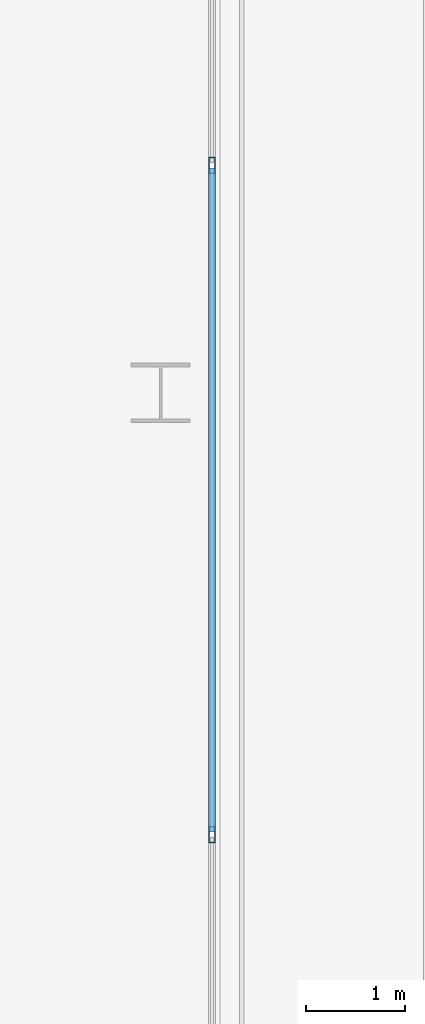
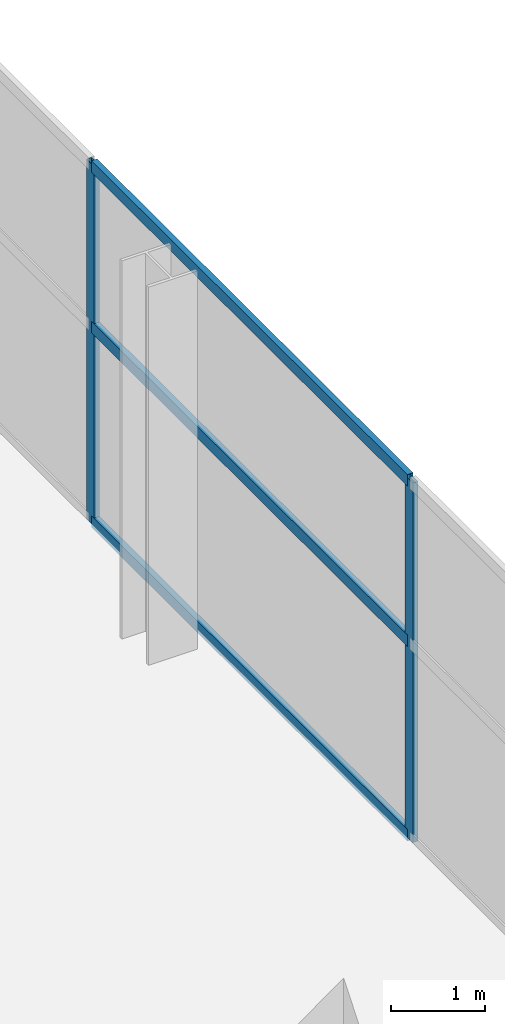
# One storey, part 15 of 31: 5 members, 1 element without a shape of its own.
"""IFC4 building model written with IfcOpenShell, lengths in metres."""

import ifcopenshell
import ifcopenshell.guid

model = None  # the IFC model being written
_history = None  # IfcOwnerHistory: only IFC2X3 demands one
_inside = {}  # id of a spatial element -> (the spatial element, [elements in it])
_under = {}  # id of a project, library or spatial element -> (it, [spatial elements below it])
_declared = {}  # id of a project -> (the project, [libraries it declares])
_typed = {}  # id of a type object -> (the type object, [elements of that type])
_made_of = {}  # id of a material, layer set ... -> (it, [elements and type objects made of it])


def new_model(schema):
    """Start an empty IFC model of exactly this schema.

    Asked for "IFC4X3", IfcOpenShell would pick the latest addendum, in which some entities
    have other attributes; the version numbers below select the first issue.
    IFC2X3 requires an IfcOwnerHistory on every rooted entity: one is made here for all.
    """
    global model, _history
    if schema == "IFC4X3":
        model = ifcopenshell.file(schema_version=(4, 3, 0, 0))
    else:
        model = ifcopenshell.file(schema=schema)
    _inside.clear()
    _under.clear()
    _declared.clear()
    _typed.clear()
    _made_of.clear()
    _history = None
    if model.schema == "IFC2X3":
        org = make("IfcOrganization", Name="unknown")
        user = make(
            "IfcPersonAndOrganization",
            ThePerson=make("IfcPerson", FamilyName="unknown"),
            TheOrganization=org,
        )
        app = make(
            "IfcApplication",
            ApplicationDeveloper=org,
            Version="unknown",
            ApplicationFullName="unknown",
            ApplicationIdentifier="unknown",
        )
        _history = make(
            "IfcOwnerHistory",
            OwningUser=user,
            OwningApplication=app,
            ChangeAction="ADDED",
            CreationDate=0,
        )
    return model


def make(cls, **values):
    """One entity of the class cls with the attributes given. An attribute that is None is left unset."""
    return model.create_entity(
        cls, **{name: value for name, value in values.items() if value is not None}
    )


def rooted(cls, **values):
    """An entity with a GlobalId (a new one), such as an element, a storey or a relation."""
    return make(cls, GlobalId=ifcopenshell.guid.new(), OwnerHistory=_history, **values)


def si_unit(unit_type, name, prefix=None):
    """IfcSIUnit, for example si_unit("LENGTHUNIT", "METRE", prefix="MILLI")."""
    return make("IfcSIUnit", UnitType=unit_type, Prefix=prefix, Name=name)


def assignment(units):
    """IfcUnitAssignment: the units of a project."""
    return None if units is None else make("IfcUnitAssignment", Units=units)


def point(xyz):
    """IfcCartesianPoint."""
    return None if xyz is None else make("IfcCartesianPoint", Coordinates=xyz)


def direction(xyz):
    """IfcDirection."""
    return None if xyz is None else make("IfcDirection", DirectionRatios=xyz)


def frame(location, z_axis=None, x_axis=None):
    """IfcAxis2Placement3D, a coordinate frame: its origin and axes. An axis left out is left unset."""
    return make(
        "IfcAxis2Placement3D",
        Location=point(location),
        Axis=direction(z_axis),
        RefDirection=direction(x_axis),
    )


def frame_2d(location, x_axis=None):
    """IfcAxis2Placement2D, a coordinate frame in the plane: its origin and x axis."""
    return make(
        "IfcAxis2Placement2D", Location=point(location), RefDirection=direction(x_axis)
    )


def origin():
    """The frame at (0, 0, 0) with its axes left unset."""
    return frame((0.0, 0.0, 0.0))


def origin_2d():
    """The frame at (0, 0) in the plane with its x axis left unset."""
    return frame_2d((0.0, 0.0))


def place(relative_to, where):
    """IfcLocalPlacement: puts the frame where relative to a parent placement (None: the world)."""
    return make(
        "IfcLocalPlacement", PlacementRelTo=relative_to, RelativePlacement=where
    )


def context(
    kind, dimensions, precision=None, world=None, true_north=None, identifier=None
):
    """IfcGeometricRepresentationContext, for example the 3D "Model" context."""
    return make(
        "IfcGeometricRepresentationContext",
        ContextIdentifier=identifier,
        ContextType=kind,
        CoordinateSpaceDimension=dimensions,
        Precision=precision,
        WorldCoordinateSystem=world,
        TrueNorth=true_north,
    )


def subcontext(parent, identifier, kind, view, scale=None):
    """IfcGeometricRepresentationSubContext, for example "Body" below "Model"."""
    return make(
        "IfcGeometricRepresentationSubContext",
        ContextIdentifier=identifier,
        ContextType=kind,
        ParentContext=parent,
        TargetScale=scale,
        TargetView=view,
    )


def project(units=None, contexts=None):
    """IfcProject with its units and contexts."""
    return rooted(
        "IfcProject",
        Name="project",
        RepresentationContexts=contexts,
        UnitsInContext=assignment(units),
    )


def spatial(cls, under=None, at=None, **own):
    """A site, building, storey or space (cls), placed at a placement, below another one or the project."""
    s = rooted(cls, ObjectPlacement=at, **own)
    if under is not None:
        _under.setdefault(under.id(), (under, []))[1].append(s)
    return s


def profile(cls, at=None, kind="AREA", **sizes):
    """A parametric profile (cls). Its sizes go by their IFC names, for example OverallWidth=200.0."""
    return make(cls, ProfileType=kind, Position=at, **sizes)


def hollow_rectangle(**sizes):
    """IfcRectangleHollowProfileDef."""
    return profile("IfcRectangleHollowProfileDef", **sizes)


def extrude(swept, where, along, depth):
    """IfcExtrudedAreaSolid: the profile swept, set in the frame where, extruded along a direction by depth."""
    return make(
        "IfcExtrudedAreaSolid",
        SweptArea=swept,
        Position=where,
        ExtrudedDirection=direction(along),
        Depth=depth,
    )


def shape(context_of_items, identifier, shape_type, items):
    """IfcShapeRepresentation: the items that make up one representation, for example the "Body"."""
    return make(
        "IfcShapeRepresentation",
        ContextOfItems=context_of_items,
        RepresentationIdentifier=identifier,
        RepresentationType=shape_type,
        Items=items,
    )


def material(Name=None, Category=None):
    """IfcMaterial."""
    return make("IfcMaterial", Name=Name, Category=Category)


def layer(
    of_material, thickness, ventilated=None, Name=None, Category=None, Priority=None
):
    """IfcMaterialLayer: one layer of a wall or slab, of a material (None: an air gap)."""
    return make(
        "IfcMaterialLayer",
        Material=of_material,
        LayerThickness=thickness,
        IsVentilated=ventilated,
        Name=Name,
        Category=Category,
        Priority=Priority,
    )


def layer_set(layers, Name=None):
    """IfcMaterialLayerSet."""
    return make("IfcMaterialLayerSet", MaterialLayers=layers, LayerSetName=Name)


def material_profile(
    of_material, cross_section, Name=None, Category=None, Priority=None
):
    """IfcMaterialProfile: a cross section and its material."""
    return make(
        "IfcMaterialProfile",
        Name=Name,
        Material=of_material,
        Profile=cross_section,
        Priority=Priority,
        Category=Category,
    )


def profile_set(profiles, Name=None, composite=None):
    """IfcMaterialProfileSet."""
    return make(
        "IfcMaterialProfileSet",
        Name=Name,
        MaterialProfiles=profiles,
        CompositeProfile=composite,
    )


def made_of(thing, what):
    """Note that an element or type object is made of a material, layer set ...; save() writes the relation."""
    if what is not None:
        _made_of.setdefault(what.id(), (what, []))[1].append(thing)
    return thing


def type_object(cls, material=None, **own):
    """A type object (cls), such as IfcWallType, which elements share."""
    return made_of(rooted(cls, **own), material)


def element(
    cls,
    number,
    at=None,
    inside=None,
    cuts=None,
    type_object=None,
    material=None,
    context=None,
    identifier="Body",
    shape_type=None,
    held_by="IfcProductDefinitionShape",
    body=None,
    shapes=None,
    **own,
):
    """One element of the class cls, such as IfcWall. Its Tag is "e" and its number.

    at: its placement. inside: the storey or other place that contains it. cuts: it is an
    opening in that element (IfcRelVoidsElement). A single representation is given by context,
    identifier, shape_type and body (its items); several are given by shapes. held_by: the class
    of the entity that holds the representations. save() writes the other relations.
    """
    e = rooted(cls, Tag="e%d" % number, ObjectPlacement=at, **own)
    if body is not None:
        shapes = [shape(context, identifier, shape_type, body)]
    if shapes is not None:
        e.Representation = make(held_by, Representations=shapes)
    if inside is not None:
        _inside.setdefault(inside.id(), (inside, []))[1].append(e)
    if cuts is not None:
        rooted(
            "IfcRelVoidsElement", RelatingBuildingElement=cuts, RelatedOpeningElement=e
        )
    if type_object is not None:
        _typed.setdefault(type_object.id(), (type_object, []))[1].append(e)
    return made_of(e, material)


def aggregate(whole, parts):
    """IfcRelAggregates: a whole, such as a stair, and the parts it consists of."""
    return rooted("IfcRelAggregates", RelatingObject=whole, RelatedObjects=parts)


def save(model, path):
    """Write the relations noted so far, then the file.

    IfcRelAggregates (storeys below a building ...), IfcRelContainedInSpatialStructure (elements
    in a storey), IfcRelDefinesByType, IfcRelAssociatesMaterial and IfcRelDeclares: one each for
    every whole, place, type object, material and project.
    """
    for whole, parts in _under.values():
        aggregate(whole, parts)
    for where, things in _inside.values():
        rooted(
            "IfcRelContainedInSpatialStructure",
            RelatedElements=things,
            RelatingStructure=where,
        )
    for kind, things in _typed.values():
        rooted("IfcRelDefinesByType", RelatedObjects=things, RelatingType=kind)
    for what, things in _made_of.values():
        rooted("IfcRelAssociatesMaterial", RelatedObjects=things, RelatingMaterial=what)
    for by, libraries in _declared.values():
        rooted("IfcRelDeclares", RelatingContext=by, RelatedDefinitions=libraries)
    model.write(path)


model = new_model("IFC4")

# Units and contexts
model_context = context("Model", 3, precision=1e-05, world=origin(), true_north=direction((0.0, 1.0)))
body_context = subcontext(model_context, "Body", "Model", "MODEL_VIEW")
ifc_project = project(units=[si_unit("LENGTHUNIT", "METRE"), si_unit("AREAUNIT", "SQUARE_METRE"), si_unit("VOLUMEUNIT", "CUBIC_METRE"), si_unit("PLANEANGLEUNIT", "RADIAN"), si_unit("MASSUNIT", "GRAM", prefix="KILO")], contexts=[model_context])

# Site, building, storey
site_placement = place(None, origin())
site = spatial("IfcSite", under=ifc_project, at=site_placement, CompositionType="ELEMENT")
building_placement = place(site_placement, origin())
building = spatial("IfcBuilding", under=site, at=building_placement, Name="Maruvema Waterfront Hotel and Observation Tower", CompositionType="ELEMENT")
storey_placement = place(building_placement, frame((0.0, 0.0, 122.5)))
storey = spatial("IfcBuildingStorey", under=building, at=storey_placement, Name="L29", CompositionType="ELEMENT", Elevation=122.5)

# Curtain wall, members
ifc_material_1 = material(Name="Anodised bronze aluminium and solar-control low-E IGU", Category="aluminium")
ifc_layer = layer(ifc_material_1, 0.159912109375, Name="Zone 2 Amber Inner Thermal Curtain Wall System CW-03")
ifc_layer_set = layer_set([ifc_layer], Name="Anodised bronze aluminium and solar-control low-E IGU")
curtain_wall_type = type_object("IfcCurtainWallType", Name="Zone 2 Amber Inner Thermal Curtain Wall System CW-03", PredefinedType="USERDEFINED", material=ifc_layer_set)
curtain_wall_placement = place(storey_placement, origin())
curtain_wall = element("IfcCurtainWall", 1, at=curtain_wall_placement, inside=storey, type_object=curtain_wall_type, Name="L29 Curtain Wall CW-L29-E", ObjectType="UNITISED CURTAIN WALL", PredefinedType="USERDEFINED")
ifc_material_2 = material(Name="Anodised architectural bronze aluminium", Category="aluminium")
ifc_material_profile_1 = material_profile(ifc_material_2, hollow_rectangle(XDim=0.070068359375, YDim=0.14990234375, WallThickness=0.00390625, at=origin_2d()), Name="ALU-T70x150")
ifc_profile_set_1 = profile_set([ifc_material_profile_1], Name="Anodised architectural bronze aluminium")
member_type_1 = type_object("IfcMemberType", Name="Curtain Wall Horizontal Transom ALU-T70x150", PredefinedType="USERDEFINED", material=ifc_profile_set_1)
member_1_placement = place(storey_placement, frame((62.419921875, 22.563232421875, 0.030029296875), z_axis=(0.0, 1.0, 0.0), x_axis=(-1.0, 0.0, 0.0)))
member_1 = element("IfcMember", 2, at=member_1_placement, type_object=member_type_1, Name="CW-03 transom 3.1", ObjectType="TRANSOM", PredefinedType="USERDEFINED", context=body_context, shape_type="SweptSolid", body=[
    extrude(hollow_rectangle(XDim=0.070068359375, YDim=0.14990234375, WallThickness=0.00390625, at=origin_2d()), origin(), (0.0, 0.0, 1.0), 6.706787109375),
])
member_2_placement = place(storey_placement, frame((62.419921875, 22.563232421875, 2.550048828125), z_axis=(0.0, 1.0, 0.0), x_axis=(-1.0, 0.0, 0.0)))
member_2 = element("IfcMember", 3, at=member_2_placement, type_object=member_type_1, Name="CW-03 transom 3.2", ObjectType="TRANSOM", PredefinedType="USERDEFINED", context=body_context, shape_type="SweptSolid", body=[
    extrude(hollow_rectangle(XDim=0.070068359375, YDim=0.14990234375, WallThickness=0.00390625, at=origin_2d()), origin(), (0.0, 0.0, 1.0), 6.706787109375),
])
member_3_placement = place(storey_placement, frame((62.419921875, 22.563232421875, 4.6298828125), z_axis=(0.0, 1.0, 0.0), x_axis=(-1.0, 0.0, 0.0)))
member_3 = element("IfcMember", 4, at=member_3_placement, type_object=member_type_1, Name="CW-03 transom 3.3", ObjectType="TRANSOM", PredefinedType="USERDEFINED", context=body_context, shape_type="SweptSolid", body=[
    extrude(hollow_rectangle(XDim=0.070068359375, YDim=0.14990234375, WallThickness=0.00390625, at=origin_2d()), origin(), (0.0, 0.0, 1.0), 6.706787109375),
])
ifc_material_3 = material(Name="Anodised architectural bronze aluminium", Category="aluminium")
ifc_material_profile_2 = material_profile(ifc_material_3, hollow_rectangle(XDim=0.06494140625, YDim=0.1650390625, WallThickness=0.00390625, at=origin_2d()), Name="ALU-M65x165")
ifc_profile_set_2 = profile_set([ifc_material_profile_2], Name="Anodised architectural bronze aluminium")
member_type_2 = type_object("IfcMemberType", Name="Curtain Wall Primary Mullion ALU-M65x165", PredefinedType="MULLION", material=ifc_profile_set_2)
member_4_placement = place(storey_placement, frame((62.419921875, 22.533447265625, 0.0), z_axis=(0.0, 0.0, 1.0), x_axis=(-1.0, 0.0, 0.0)))
member_4 = element("IfcMember", 5, at=member_4_placement, type_object=member_type_2, Name="CW-03 mullion 3", PredefinedType="MULLION", context=body_context, shape_type="SweptSolid", body=[
    extrude(hollow_rectangle(XDim=0.06494140625, YDim=0.1650390625, WallThickness=0.00390625, at=origin_2d()), origin(), (0.0, 0.0, 1.0), 4.659912109375),
])
member_5_placement = place(storey_placement, frame((62.419921875, 29.300048828125, 0.0), z_axis=(0.0, 0.0, 1.0), x_axis=(-1.0, 0.0, 0.0)))
member_5 = element("IfcMember", 6, at=member_5_placement, type_object=member_type_2, Name="CW-03 mullion 4", PredefinedType="MULLION", context=body_context, shape_type="SweptSolid", body=[
    extrude(hollow_rectangle(XDim=0.06494140625, YDim=0.1650390625, WallThickness=0.00390625, at=origin_2d()), origin(), (0.0, 0.0, 1.0), 4.659912109375),
])
aggregate(curtain_wall, [member_4, member_5, member_1, member_2, member_3])

save(model, "model.ifc")
